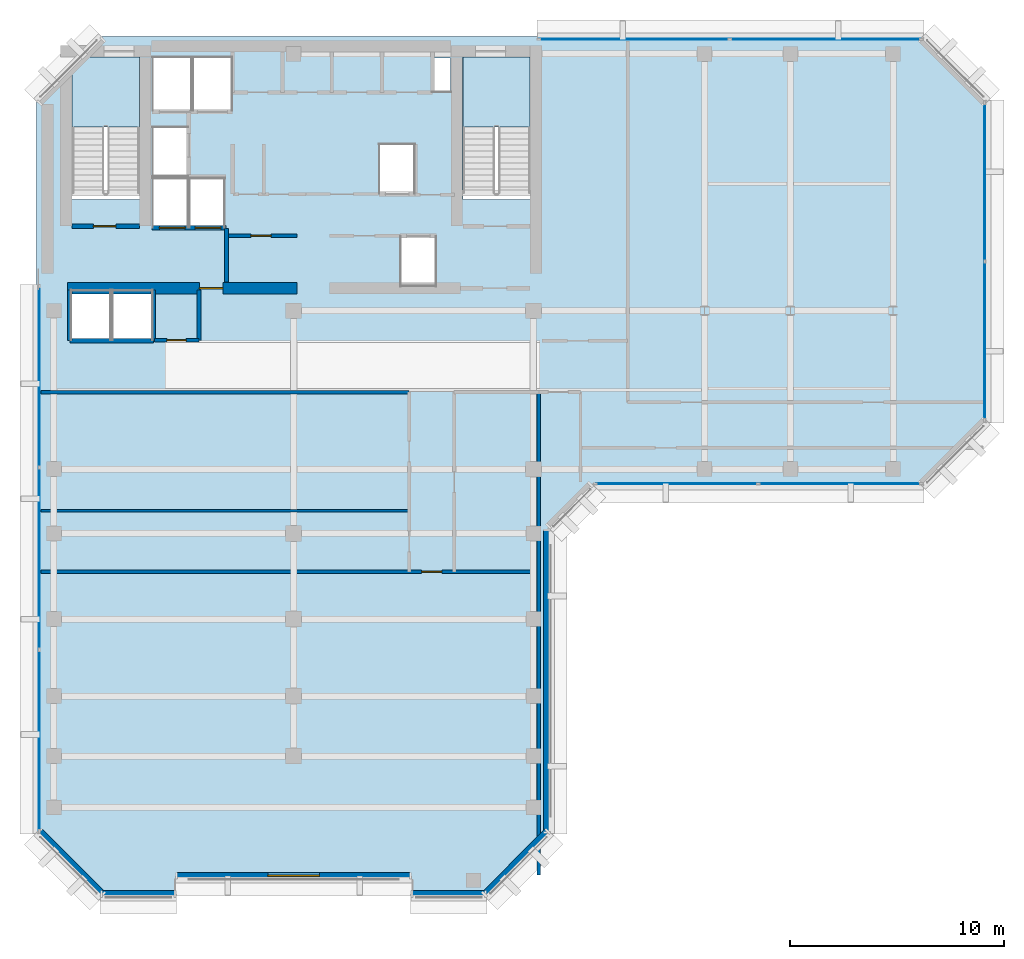
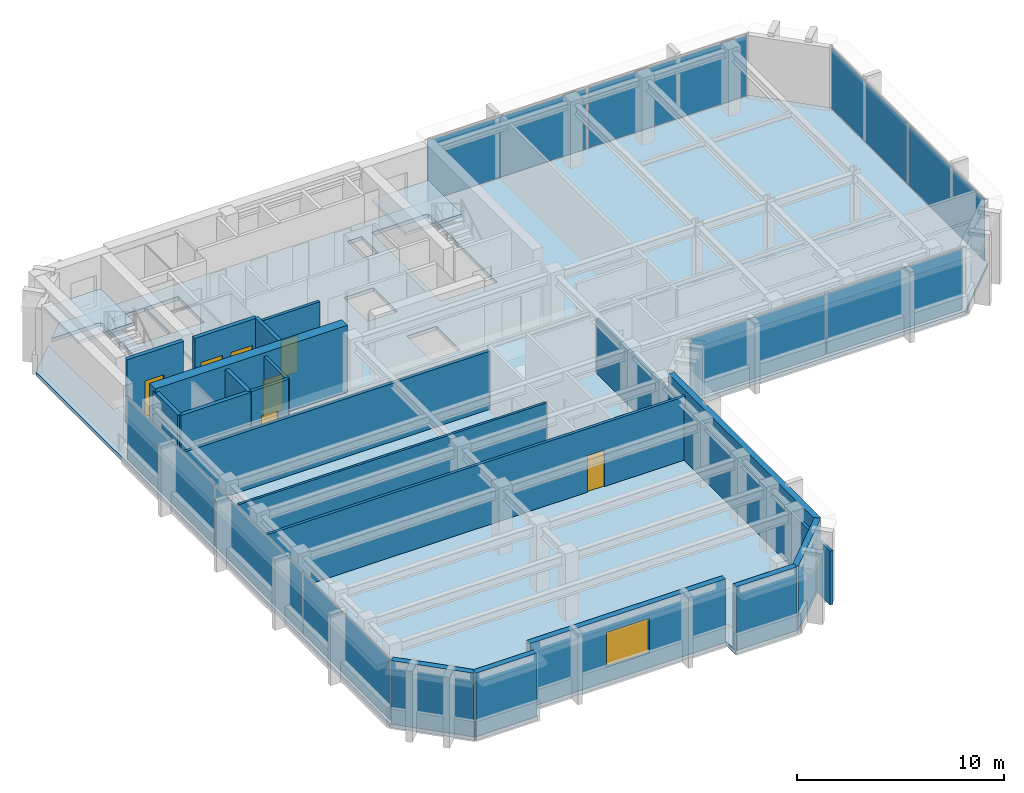
# One storey, part 6 of 12: 20 walls, 9 plates, 7 doors, 3 slabs, 1 window, 8 openings, 6 elements without a shape of their own.
"""IFC4 building model written with IfcOpenShell, lengths in metres."""

from ifc_helpers import new_model, si_unit, direction, frame, frame_2d, origin, origin_2d, place, context, subcontext, project, spatial, polyline, rectangle, outline, extrude, material, layer, layer_set, type_object, element, fill, aggregate, save


model = new_model("IFC4")

# Units and contexts
model_context = context("Model", 3, precision=1e-05, world=origin(), true_north=direction((0.0, 1.0)))
body_context = subcontext(model_context, "Body", "Model", "MODEL_VIEW")
ifc_project = project(units=[si_unit("LENGTHUNIT", "METRE"), si_unit("AREAUNIT", "SQUARE_METRE"), si_unit("VOLUMEUNIT", "CUBIC_METRE"), si_unit("PLANEANGLEUNIT", "RADIAN"), si_unit("MASSUNIT", "GRAM", prefix="KILO")], contexts=[model_context])

# Site, building, storey
site_placement = place(None, origin())
site = spatial("IfcSite", under=ifc_project, at=site_placement, CompositionType="ELEMENT")
building_placement = place(site_placement, origin())
building = spatial("IfcBuilding", under=site, at=building_placement, Name="Kefirva Bronze Tower", CompositionType="ELEMENT")
storey_placement = place(building_placement, frame((0.0, 0.0, 327.68994140625)))
storey = spatial("IfcBuildingStorey", under=building, at=storey_placement, Name="L80", CompositionType="ELEMENT", Elevation=327.68994140625)

# Stair, slab
ifc_material_1 = material(Name="Concrete C40/50", Category="concrete")
stair_type = type_object("IfcStairType", Name="RC Dogleg Protected Stair 24R", PredefinedType="HALF_TURN_STAIR", material=ifc_material_1)
stair_1_placement = place(storey_placement, origin())
stair_1 = element("IfcStair", 1, at=stair_1_placement, inside=storey, type_object=stair_type, Name="L80 Protected Exit Stair 1", PredefinedType="HALF_TURN_STAIR")
ifc_layer_1 = layer(ifc_material_1, 0.199951171875, Name="Concrete C40/50")
ifc_layer_set_1 = layer_set([ifc_layer_1], Name="Concrete C40/50")
slab_type_1 = type_object("IfcSlabType", Name="RC Stair Landing Slab 200mm", PredefinedType="LANDING", material=ifc_layer_set_1)
slab_1_placement = place(storey_placement, frame((0.0, 0.0, 1.780029296875)))
slab_1 = element("IfcSlab", 2, at=slab_1_placement, type_object=slab_type_1, Name="ST-1 landing 1", PredefinedType="LANDING", context=body_context, shape_type="SweptSolid", body=[
    extrude(outline(polyline([(4.800048828125, 41.780029296875), (4.800048828125, 45.050048828125), (1.64990234375, 45.050048828125), (1.64990234375, 41.780029296875), (4.800048828125, 41.780029296875)])), origin(), (0.0, 0.0, 1.0), 0.199951171875),
])
aggregate(stair_1, [slab_1])

stair_2_placement = place(storey_placement, origin())
stair_2 = element("IfcStair", 3, at=stair_2_placement, inside=storey, type_object=stair_type, Name="L80 Protected Exit Stair 2", PredefinedType="HALF_TURN_STAIR")
slab_2_placement = place(storey_placement, frame((0.0, 0.0, 1.780029296875)))
slab_2 = element("IfcSlab", 4, at=slab_2_placement, type_object=slab_type_1, Name="ST-2 landing 1", PredefinedType="LANDING", context=body_context, shape_type="SweptSolid", body=[
    extrude(outline(polyline([(23.050048828125, 41.780029296875), (23.050048828125, 45.050048828125), (19.89990234375, 45.050048828125), (19.89990234375, 41.780029296875), (23.050048828125, 41.780029296875)])), origin(), (0.0, 0.0, 1.0), 0.199951171875),
])
aggregate(stair_2, [slab_2])

# Slab
ifc_layer_2 = layer(ifc_material_1, 0.219970703125, Name="Concrete C40/50")
ifc_layer_set_2 = layer_set([ifc_layer_2], Name="Concrete C40/50")
slab_type_2 = type_object("IfcSlabType", Name="RC Upper Floor Slab 220mm", PredefinedType="FLOOR", material=ifc_layer_set_2)
slab_3_placement = place(storey_placement, frame((0.0, 0.0, -0.219970703125)))
element("IfcSlab", 5, at=slab_3_placement, inside=storey, type_object=slab_type_2, Name="L80 Structural Floor Slab", PredefinedType="FLOOR", context=body_context, shape_type="SweptSolid", body=[
    extrude(outline(polyline([(0.0, 8.800048828125), (0.0, 43.0), (1.64990234375, 44.64990234375), (1.64990234375, 38.39990234375), (4.800048828125, 38.39990234375), (4.800048828125, 45.050048828125), (2.050048828125, 45.050048828125), (3.0, 46.0), (41.39990234375, 46.0), (44.39990234375, 43.0), (44.39990234375, 28.0), (41.39990234375, 25.0), (26.0, 25.0), (24.0, 23.0), (24.0, 8.800048828125), (21.0, 5.800048828125), (17.5, 5.800048828125), (17.5, 6.64990234375), (6.5, 6.64990234375), (6.5, 5.800048828125), (3.0, 5.800048828125), (0.0, 8.800048828125)]), holes=[polyline([(23.050048828125, 45.050048828125), (19.89990234375, 45.050048828125), (19.89990234375, 38.39990234375), (23.050048828125, 38.39990234375), (23.050048828125, 45.050048828125)]), polyline([(19.320068359375, 43.419921875), (19.320068359375, 45.0), (18.52001953125, 45.0), (18.52001953125, 43.419921875), (19.320068359375, 43.419921875)]), polyline([(18.64990234375, 36.64990234375), (17.0, 36.64990234375), (17.0, 34.35009765625), (18.64990234375, 34.35009765625), (18.64990234375, 36.64990234375)]), polyline([(17.64990234375, 38.679931640625), (17.64990234375, 40.97998046875), (16.0, 40.97998046875), (16.0, 38.679931640625), (17.64990234375, 38.679931640625)]), polyline([(9.1201171875, 42.550048828125), (9.1201171875, 45.050048828125), (7.300048828125, 45.050048828125), (7.300048828125, 42.550048828125), (9.1201171875, 42.550048828125)]), polyline([(8.780029296875, 37.10009765625), (8.780029296875, 39.39990234375), (7.139892578125, 39.39990234375), (7.139892578125, 37.10009765625), (8.780029296875, 37.10009765625)]), polyline([(7.239990234375, 42.550048828125), (7.239990234375, 45.050048828125), (5.419921875, 45.050048828125), (5.419921875, 42.550048828125), (7.239990234375, 42.550048828125)]), polyline([(7.06005859375, 37.10009765625), (7.06005859375, 39.39990234375), (5.419921875, 39.39990234375), (5.419921875, 37.10009765625), (7.06005859375, 37.10009765625)]), polyline([(7.06005859375, 41.780029296875), (5.419921875, 41.780029296875), (5.419921875, 39.47998046875), (7.06005859375, 39.47998046875), (7.06005859375, 41.780029296875)]), polyline([(5.39990234375, 31.85009765625), (5.39990234375, 34.14990234375), (3.550048828125, 34.14990234375), (3.550048828125, 31.85009765625), (5.39990234375, 31.85009765625)]), polyline([(3.449951171875, 34.14990234375), (1.60009765625, 34.14990234375), (1.60009765625, 31.85009765625), (3.449951171875, 31.85009765625), (3.449951171875, 34.14990234375)])]), origin(), (0.0, 0.0, 1.0), 0.219970703125),
])

# Curtain wall, plates
ifc_material_2 = material(Name="Bronze anodised aluminium", Category="aluminium")
ifc_layer_3 = layer(ifc_material_2, 0.179931640625, Name="Bronze anodised aluminium")
ifc_layer_set_3 = layer_set([ifc_layer_3], Name="Bronze anodised aluminium")
curtain_wall_type = type_object("IfcCurtainWallType", Name="Unitised Bronze Ribbon Curtain Wall Zone 4", PredefinedType="USERDEFINED", material=ifc_layer_set_3)
curtain_wall_1_placement = place(storey_placement, origin())
curtain_wall_1 = element("IfcCurtainWall", 6, at=curtain_wall_1_placement, inside=storey, type_object=curtain_wall_type, Name="L80 Curtain Wall 1", ObjectType="UNITISED CURTAIN WALL", PredefinedType="USERDEFINED")
ifc_material_3 = material(Name="Laminated low-E double glazing", Category="glass")
ifc_layer_4 = layer(ifc_material_3, 0.031982421875, Name="Laminated low-E double glazing")
ifc_layer_set_4 = layer_set([ifc_layer_4], Name="Laminated low-E double glazing")
plate_type = type_object("IfcPlateType", Name="Solar-Control Low-E Vision Panel 32mm", PredefinedType="CURTAIN_PANEL", material=ifc_layer_set_4)
plate_1_placement = place(storey_placement, frame((29.896240234375, 25.1201171875, 0.0751953125), z_axis=(0.0, 0.0, 1.0), x_axis=(1.0, 0.0, 0.0)))
plate_1 = element("IfcPlate", 7, at=plate_1_placement, type_object=plate_type, Name="CW-04 panel 1.1", PredefinedType="CURTAIN_PANEL", context=body_context, shape_type="SweptSolid", body=[
    extrude(rectangle(XDim=7.532470703125, YDim=0.031982421875, at=origin_2d()), origin(), (0.0, 0.0, 1.0), 3.590087890625),
])
plate_2_placement = place(storey_placement, frame((37.503662109375, 25.1201171875, 0.0751953125), z_axis=(0.0, 0.0, 1.0), x_axis=(1.0, 0.0, 0.0)))
plate_2 = element("IfcPlate", 8, at=plate_2_placement, type_object=plate_type, Name="CW-04 panel 2.1", PredefinedType="CURTAIN_PANEL", context=body_context, shape_type="SweptSolid", body=[
    extrude(rectangle(XDim=7.532470703125, YDim=0.031982421875, at=origin_2d()), origin(), (0.0, 0.0, 1.0), 3.590087890625),
])
aggregate(curtain_wall_1, [plate_1, plate_2])

curtain_wall_2_placement = place(storey_placement, origin())
curtain_wall_2 = element("IfcCurtainWall", 9, at=curtain_wall_2_placement, inside=storey, type_object=curtain_wall_type, Name="L80 Curtain Wall 2", ObjectType="UNITISED CURTAIN WALL", PredefinedType="USERDEFINED")
plate_3_placement = place(storey_placement, frame((44.280029296875, 31.796142578125, 0.0751953125), z_axis=(0.0, 0.0, 1.0), x_axis=(0.0, 1.0, 0.0)))
plate_3 = element("IfcPlate", 10, at=plate_3_placement, type_object=plate_type, Name="CW-04 panel 1.1", PredefinedType="CURTAIN_PANEL", context=body_context, shape_type="SweptSolid", body=[
    extrude(rectangle(XDim=7.33251953125, YDim=0.031982421875, at=origin_2d()), origin(), (0.0, 0.0, 1.0), 3.590087890625),
])
plate_4_placement = place(storey_placement, frame((44.280029296875, 39.203857421875, 0.0751953125), z_axis=(0.0, 0.0, 1.0), x_axis=(0.0, 1.0, 0.0)))
plate_4 = element("IfcPlate", 11, at=plate_4_placement, type_object=plate_type, Name="CW-04 panel 2.1", PredefinedType="CURTAIN_PANEL", context=body_context, shape_type="SweptSolid", body=[
    extrude(rectangle(XDim=7.33251953125, YDim=0.031982421875, at=origin_2d()), origin(), (0.0, 0.0, 1.0), 3.590087890625),
])
aggregate(curtain_wall_2, [plate_3, plate_4])

curtain_wall_3_placement = place(storey_placement, origin())
curtain_wall_3 = element("IfcCurtainWall", 12, at=curtain_wall_3_placement, inside=storey, type_object=curtain_wall_type, Name="L80 Curtain Wall 3", ObjectType="UNITISED CURTAIN WALL", PredefinedType="USERDEFINED")
plate_5_placement = place(storey_placement, frame((36.84130859375, 45.8798828125, 0.0751953125), z_axis=(0.0, 0.0, 1.0), x_axis=(-1.0, 0.0, 0.0)))
plate_5 = element("IfcPlate", 13, at=plate_5_placement, type_object=plate_type, Name="CW-04 panel 1.1", PredefinedType="CURTAIN_PANEL", context=body_context, shape_type="SweptSolid", body=[
    extrude(rectangle(XDim=8.857421875, YDim=0.031982421875, at=origin_2d()), origin(), (0.0, 0.0, 1.0), 3.590087890625),
])
plate_6_placement = place(storey_placement, frame((27.90869140625, 45.8798828125, 0.0751953125), z_axis=(0.0, 0.0, 1.0), x_axis=(-1.0, 0.0, 0.0)))
plate_6 = element("IfcPlate", 14, at=plate_6_placement, type_object=plate_type, Name="CW-04 panel 2.1", PredefinedType="CURTAIN_PANEL", context=body_context, shape_type="SweptSolid", body=[
    extrude(rectangle(XDim=8.857421875, YDim=0.031982421875, at=origin_2d()), origin(), (0.0, 0.0, 1.0), 3.590087890625),
])
aggregate(curtain_wall_3, [plate_5, plate_6])

curtain_wall_4_placement = place(storey_placement, origin())
curtain_wall_4 = element("IfcCurtainWall", 15, at=curtain_wall_4_placement, inside=storey, type_object=curtain_wall_type, Name="L80 Curtain Wall 4", ObjectType="UNITISED CURTAIN WALL", PredefinedType="USERDEFINED")
plate_7_placement = place(storey_placement, frame((0.1201171875, 30.11962890625, 0.0751953125), z_axis=(0.0, 0.0, 1.0), x_axis=(0.0, -1.0, 0.0)))
plate_7 = element("IfcPlate", 16, at=plate_7_placement, type_object=plate_type, Name="CW-04 panel 1.1", PredefinedType="CURTAIN_PANEL", context=body_context, shape_type="SweptSolid", body=[
    extrude(rectangle(XDim=8.40087890625, YDim=0.031982421875, at=origin_2d()), origin(), (0.0, 0.0, 1.0), 3.590087890625),
])
plate_8_placement = place(storey_placement, frame((0.1201171875, 21.625, 0.0751953125), z_axis=(0.0, 0.0, 1.0), x_axis=(0.0, -1.0, 0.0)))
plate_8 = element("IfcPlate", 17, at=plate_8_placement, type_object=plate_type, Name="CW-04 panel 2.1", PredefinedType="CURTAIN_PANEL", context=body_context, shape_type="SweptSolid", body=[
    extrude(rectangle(XDim=8.438232421875, YDim=0.031982421875, at=origin_2d()), origin(), (0.0, 0.0, 1.0), 3.590087890625),
])
plate_9_placement = place(storey_placement, frame((0.1201171875, 13.13037109375, 0.0751953125), z_axis=(0.0, 0.0, 1.0), x_axis=(0.0, -1.0, 0.0)))
plate_9 = element("IfcPlate", 18, at=plate_9_placement, type_object=plate_type, Name="CW-04 panel 3.1", PredefinedType="CURTAIN_PANEL", context=body_context, shape_type="SweptSolid", body=[
    extrude(rectangle(XDim=8.40087890625, YDim=0.031982421875, at=origin_2d()), origin(), (0.0, 0.0, 1.0), 3.590087890625),
])
aggregate(curtain_wall_4, [plate_7, plate_8, plate_9])

# Wall
ifc_material_4 = material(Name="Gypsum acoustic partition")
ifc_layer_5 = layer(ifc_material_4, 0.1298828125, Name="Gypsum acoustic partition")
ifc_layer_set_5 = layer_set([ifc_layer_5], Name="Gypsum acoustic partition")
wall_type_1 = type_object("IfcWallType", Name="Acoustic Office Partition 130mm", PredefinedType="PARTITIONING", material=ifc_layer_set_5)
wall_1_placement = place(storey_placement, frame((0.18994140625, 23.85595703125, 0.0), z_axis=(0.0, 0.0, 1.0), x_axis=(1.0, 0.0, 0.0)))
element("IfcWall", 19, at=wall_1_placement, inside=storey, type_object=wall_type_1, Name="L80 Partition W-L80-SWD1", PredefinedType="PARTITIONING", context=body_context, shape_type="SweptSolid", body=[
    extrude(rectangle(XDim=17.2099609375, YDim=0.1298828125, at=frame_2d((8.60498046875, 0.0))), origin(), (0.0, 0.0, 1.0), 3.739990234375),
])

# Wall, opening, door
ifc_material_5 = material(Name="Gypsum fireboard shaftwall")
ifc_layer_6 = layer(ifc_material_5, 0.219970703125, Name="Gypsum fireboard shaftwall")
ifc_layer_set_6 = layer_set([ifc_layer_6], Name="Gypsum fireboard shaftwall")
wall_type_2 = type_object("IfcWallType", Name="Fire-Rated Shaft Enclosure Wall 220mm", PredefinedType="PARTITIONING", material=ifc_layer_set_6)
wall_2_placement = place(storey_placement, frame((1.64990234375, 37.14990234375, 0.0), z_axis=(0.0, 0.0, 1.0), x_axis=(1.0, 0.0, 0.0)))
wall_2 = element("IfcWall", 20, at=wall_2_placement, inside=storey, type_object=wall_type_2, Name="L80 Partition W-L80-ST1S", PredefinedType="PARTITIONING", context=body_context, shape_type="SweptSolid", body=[
    extrude(rectangle(XDim=3.150146484375, YDim=0.219970703125, at=frame_2d((1.5751953125, 0.0))), origin(), (0.0, 0.0, 1.0), 3.739990234375),
])
opening_1_placement = place(wall_2_placement, frame((2.050048828125, 0.0, 0.0), z_axis=(0.0, 0.0, 1.0), x_axis=(-1.0, 0.0, 0.0)))
opening_1 = element("IfcOpeningElement", 21, at=opening_1_placement, cuts=wall_2, Name="Opening L80-D001", PredefinedType="OPENING", context=body_context, shape_type="SweptSolid", body=[
    extrude(rectangle(XDim=1.050048828125, YDim=2.14990234375, at=frame_2d((0.52490234375, 1.074951171875))), frame((0.0, 0.1201171875, 0.0), z_axis=(0.0, -1.0, 0.0), x_axis=(1.0, 0.0, 0.0)), (0.0, 0.0, 1.0), 0.239990234375),
])
ifc_material_6 = material(Name="Painted galvanized steel", Category="steel")
door_type_1 = type_object("IfcDoorType", Name="Fire Stair Enclosure Door 1050x2150 FD90S", OperationType="NOTDEFINED", PredefinedType="DOOR", material=ifc_material_6)
door_1_placement = place(opening_1_placement, origin())
door_1 = element("IfcDoor", 22, at=door_1_placement, inside=storey, type_object=door_type_1, Name="Door L80-D001", OperationType="SINGLE_SWING_RIGHT", OverallHeight=2.14990234375, OverallWidth=1.050048828125, PredefinedType="DOOR", context=body_context, shape_type="SweptSolid", body=[
    extrude(rectangle(XDim=1.050048828125, YDim=2.14990234375, at=frame_2d((0.52490234375, 1.074951171875))), frame((0.0, 0.02490234375, 0.0), z_axis=(0.0, -1.0, 0.0), x_axis=(1.0, 0.0, 0.0)), (0.0, 0.0, 1.0), 0.050048828125),
])
fill(opening_1, door_1)

# Wall, openings, doors
wall_3_placement = place(storey_placement, frame((5.3798828125, 37.080078125, 0.0), z_axis=(0.0, 0.0, 1.0), x_axis=(1.0, 0.0, 0.0)))
wall_3 = element("IfcWall", 23, at=wall_3_placement, inside=storey, type_object=wall_type_2, Name="L80 Partition W-L80-FFS", PredefinedType="PARTITIONING", context=body_context, shape_type="SweptSolid", body=[
    extrude(rectangle(XDim=3.460205078125, YDim=0.219970703125, at=frame_2d((1.72998046875, 0.0))), origin(), (0.0, 0.0, 1.0), 3.739990234375),
])
opening_2_placement = place(wall_3_placement, frame((1.550048828125, 0.0, 0.0), z_axis=(0.0, 0.0, 1.0), x_axis=(-1.0, 0.0, 0.0)))
opening_2 = element("IfcOpeningElement", 24, at=opening_2_placement, cuts=wall_3, Name="Opening L80-LD-FF1", PredefinedType="OPENING", context=body_context, shape_type="SweptSolid", body=[
    extrude(rectangle(XDim=1.199951171875, YDim=2.199951171875, at=frame_2d((0.60009765625, 1.10009765625))), frame((0.0, 0.1201171875, 0.0), z_axis=(0.0, -1.0, 0.0), x_axis=(1.0, 0.0, 0.0)), (0.0, 0.0, 1.0), 0.239990234375),
])
opening_3_placement = place(wall_3_placement, frame((3.219970703125, 0.0, 0.0), z_axis=(0.0, 0.0, 1.0), x_axis=(-1.0, 0.0, 0.0)))
opening_3 = element("IfcOpeningElement", 25, at=opening_3_placement, cuts=wall_3, Name="Opening L80-LD-FF2", PredefinedType="OPENING", context=body_context, shape_type="SweptSolid", body=[
    extrude(rectangle(XDim=1.199951171875, YDim=2.199951171875, at=frame_2d((0.60009765625, 1.10009765625))), frame((0.0, 0.1201171875, 0.0), z_axis=(0.0, -1.0, 0.0), x_axis=(1.0, 0.0, 0.0)), (0.0, 0.0, 1.0), 0.239990234375),
])
ifc_material_7 = material(Name="Stainless steel 316", Category="steel")
door_type_2 = type_object("IfcDoorType", Name="Firefighting Lift Sliding Door 1200x2200", OperationType="SLIDING_TO_RIGHT", PredefinedType="DOOR", material=ifc_material_7)
door_2_placement = place(opening_2_placement, origin())
door_2 = element("IfcDoor", 26, at=door_2_placement, inside=storey, type_object=door_type_2, Name="Door L80-LD-FF1", OperationType="SLIDING_TO_RIGHT", OverallHeight=2.199951171875, OverallWidth=1.199951171875, PredefinedType="DOOR", context=body_context, shape_type="SweptSolid", body=[
    extrude(rectangle(XDim=1.199951171875, YDim=2.199951171875, at=frame_2d((0.60009765625, 1.10009765625))), frame((0.0, 0.02490234375, 0.0), z_axis=(0.0, -1.0, 0.0), x_axis=(1.0, 0.0, 0.0)), (0.0, 0.0, 1.0), 0.050048828125),
])
fill(opening_2, door_2)
door_3_placement = place(opening_3_placement, origin())
door_3 = element("IfcDoor", 27, at=door_3_placement, inside=storey, type_object=door_type_2, Name="Door L80-LD-FF2", OperationType="SLIDING_TO_RIGHT", OverallHeight=2.199951171875, OverallWidth=1.199951171875, PredefinedType="DOOR", context=body_context, shape_type="SweptSolid", body=[
    extrude(rectangle(XDim=1.199951171875, YDim=2.199951171875, at=frame_2d((0.60009765625, 1.10009765625))), frame((0.0, 0.02490234375, 0.0), z_axis=(0.0, -1.0, 0.0), x_axis=(1.0, 0.0, 0.0)), (0.0, 0.0, 1.0), 0.050048828125),
])
fill(opening_3, door_3)

# Walls
wall_4_placement = place(storey_placement, frame((1.550048828125, 31.800048828125, 0.0), z_axis=(0.0, 0.0, 1.0), x_axis=(1.0, 0.0, 0.0)))
element("IfcWall", 28, at=wall_4_placement, inside=storey, type_object=wall_type_2, Name="L80 Partition W-L80-OBS", PredefinedType="PARTITIONING", context=body_context, shape_type="SweptSolid", body=[
    extrude(rectangle(XDim=3.89990234375, YDim=0.219970703125, at=frame_2d((1.949951171875, 0.0))), origin(), (0.0, 0.0, 1.0), 3.739990234375),
])
for number, where, z_axis, x_axis, name in (
    (29, (1.550048828125, 31.800048828125, 0.0), (0.0, 0.0, 1.0), (0.0, 1.0, 0.0), "L80 Partition W-L80-OBW"),
    (30, (5.449951171875, 31.800048828125, 0.0), (0.0, 0.0, 1.0), (0.0, 1.0, 0.0), "L80 Partition W-L80-OBE"),
):
    element("IfcWall", number, at=place(storey_placement, frame(where, z_axis=z_axis, x_axis=x_axis)), inside=storey, type_object=wall_type_2, Name=name, PredefinedType="PARTITIONING", context=body_context, shape_type="SweptSolid", body=[
        extrude(rectangle(XDim=2.3798828125, YDim=0.219970703125, at=frame_2d((1.18994140625, 0.0))), origin(), (0.0, 0.0, 1.0), 3.739990234375),
    ])
ifc_material_8 = material(Name="Gypsum fireboard barrier")
ifc_layer_7 = layer(ifc_material_8, 0.199951171875, Name="Gypsum fireboard barrier")
ifc_layer_set_7 = layer_set([ifc_layer_7], Name="Gypsum fireboard barrier")
wall_type_3 = type_object("IfcWallType", Name="Firefighting Lobby Barrier Wall 200mm", PredefinedType="PARTITIONING", material=ifc_layer_set_7)
wall_5_placement = place(storey_placement, frame((8.860107421875, 34.550048828125, 0.0), z_axis=(0.0, 0.0, 1.0), x_axis=(0.0, 1.0, 0.0)))
element("IfcWall", 31, at=wall_5_placement, inside=storey, type_object=wall_type_3, Name="L80 Partition W-L80-FFLE", PredefinedType="PARTITIONING", context=body_context, shape_type="SweptSolid", body=[
    extrude(rectangle(XDim=2.5, YDim=0.199951171875, at=frame_2d((1.25, 0.0))), origin(), (0.0, 0.0, 1.0), 3.739990234375),
])
ifc_material_9 = material(Name="Precast concrete C40/50", Category="concrete")
ifc_layer_8 = layer(ifc_material_9, 0.320068359375, Name="Precast concrete C40/50")
ifc_layer_set_8 = layer_set([ifc_layer_8], Name="Precast concrete C40/50")
wall_type_4 = type_object("IfcWallType", Name="Precast Insulated Exterior Wall 320mm", PredefinedType="SOLIDWALL", material=ifc_layer_set_8)
wall_6_placement = place(storey_placement, frame((3.054931640625, 5.9599609375, 0.0), z_axis=(0.0, 0.0, 1.0), x_axis=(1.0, 0.0, 0.0)))
element("IfcWall", 32, at=wall_6_placement, inside=storey, type_object=wall_type_4, Name="L80 Exterior Facade Wall 1", PredefinedType="SOLIDWALL", context=body_context, shape_type="SweptSolid", body=[
    extrude(rectangle(XDim=3.39013671875, YDim=0.320068359375, at=frame_2d((1.695068359375, 0.0))), origin(), (0.0, 0.0, 1.0), 3.739990234375),
])

# Wall, opening, window
wall_7_placement = place(storey_placement, frame((6.554931640625, 6.81005859375, 0.0), z_axis=(0.0, 0.0, 1.0), x_axis=(1.0, 0.0, 0.0)))
wall_7 = element("IfcWall", 33, at=wall_7_placement, inside=storey, type_object=wall_type_4, Name="L80 Exterior Facade Wall 2", PredefinedType="SOLIDWALL", context=body_context, shape_type="SweptSolid", body=[
    extrude(rectangle(XDim=10.89013671875, YDim=0.320068359375, at=frame_2d((5.445068359375, 0.0))), origin(), (0.0, 0.0, 1.0), 3.739990234375),
])
opening_4_placement = place(wall_7_placement, frame((4.2451171875, 0.0, 0.85009765625)))
opening_4 = element("IfcOpeningElement", 34, at=opening_4_placement, cuts=wall_7, Name="Opening WN-01", PredefinedType="OPENING", context=body_context, shape_type="SweptSolid", body=[
    extrude(rectangle(XDim=2.39990234375, YDim=2.050048828125, at=frame_2d((1.199951171875, 1.02490234375))), frame((0.0, 0.169921875, 0.0), z_axis=(0.0, -1.0, 0.0), x_axis=(1.0, 0.0, 0.0)), (0.0, 0.0, 1.0), 0.340087890625),
])
window_type = type_object("IfcWindowType", Name="Streamline Ribbon Window 2400x2050", PartitioningType="SINGLE_PANEL", PredefinedType="WINDOW", material=ifc_material_3)
window_placement = place(opening_4_placement, origin())
window = element("IfcWindow", 35, at=window_placement, inside=storey, type_object=window_type, Name="L80 Ribbon Window 2", OverallHeight=2.050048828125, OverallWidth=2.39990234375, PartitioningType="SINGLE_PANEL", PredefinedType="WINDOW", context=body_context, shape_type="SweptSolid", body=[
    extrude(rectangle(XDim=2.39990234375, YDim=2.050048828125, at=frame_2d((1.199951171875, 1.02490234375))), frame((0.0, 0.030029296875, 0.0), z_axis=(0.0, -1.0, 0.0), x_axis=(1.0, 0.0, 0.0)), (0.0, 0.0, 1.0), 0.06005859375),
])
fill(opening_4, window)

# Walls
wall_8_placement = place(storey_placement, frame((17.554931640625, 5.9599609375, 0.0), z_axis=(0.0, 0.0, 1.0), x_axis=(1.0, 0.0, 0.0)))
element("IfcWall", 36, at=wall_8_placement, inside=storey, type_object=wall_type_4, Name="L80 Exterior Facade Wall 3", PredefinedType="SOLIDWALL", context=body_context, shape_type="SweptSolid", body=[
    extrude(rectangle(XDim=3.39013671875, YDim=0.320068359375, at=frame_2d((1.695068359375, 0.0))), origin(), (0.0, 0.0, 1.0), 3.739990234375),
])
wall_9_placement = place(storey_placement, frame((20.92578125, 5.951904296875, 0.0), z_axis=(0.0, 0.0, 1.0), x_axis=(0.707077242712, 0.707136318428, 0.0)))
element("IfcWall", 37, at=wall_9_placement, inside=storey, type_object=wall_type_4, Name="L80 Exterior Facade Wall 4", PredefinedType="SOLIDWALL", context=body_context, shape_type="SweptSolid", body=[
    extrude(rectangle(XDim=4.132568359375, YDim=0.320068359375, at=frame_2d((2.06640625, 0.0))), origin(), (0.0, 0.0, 1.0), 3.739990234375),
])
wall_10_placement = place(storey_placement, frame((23.840087890625, 8.85498046875, 0.0), z_axis=(0.0, 0.0, 1.0), x_axis=(0.0, 1.0, 0.0)))
element("IfcWall", 38, at=wall_10_placement, inside=storey, type_object=wall_type_4, Name="L80 Exterior Facade Wall 5", PredefinedType="SOLIDWALL", context=body_context, shape_type="SweptSolid", body=[
    extrude(rectangle(XDim=14.090087890625, YDim=0.320068359375, at=frame_2d((7.044921875, 0.0))), origin(), (0.0, 0.0, 1.0), 3.739990234375),
])
wall_11_placement = place(storey_placement, frame((0.152099609375, 8.874267578125, 0.0), z_axis=(0.0, 0.0, 1.0), x_axis=(0.707077242712, -0.707136318428, 0.0)))
element("IfcWall", 39, at=wall_11_placement, inside=storey, type_object=wall_type_4, Name="L80 Exterior Facade Wall 10", PredefinedType="SOLIDWALL", context=body_context, shape_type="SweptSolid", body=[
    extrude(rectangle(XDim=4.132568359375, YDim=0.320068359375, at=frame_2d((2.06640625, 0.0))), origin(), (0.0, 0.0, 1.0), 3.739990234375),
])

# Wall, opening, door
ifc_layer_9 = layer(ifc_material_4, 0.159912109375, Name="Gypsum acoustic partition")
ifc_layer_set_9 = layer_set([ifc_layer_9], Name="Gypsum acoustic partition")
wall_type_5 = type_object("IfcWallType", Name="Protected Corridor Partition 160mm", PredefinedType="PARTITIONING", material=ifc_layer_set_9)
wall_12_placement = place(storey_placement, frame((8.89990234375, 36.699951171875, 0.0), z_axis=(0.0, 0.0, 1.0), x_axis=(1.0, 0.0, 0.0)))
wall_12 = element("IfcWall", 40, at=wall_12_placement, inside=storey, type_object=wall_type_5, Name="L80 Partition W-L80-RECLP1", PredefinedType="PARTITIONING", context=body_context, shape_type="SweptSolid", body=[
    extrude(rectangle(XDim=3.25, YDim=0.159912109375, at=frame_2d((1.625, 0.0))), origin(), (0.0, 0.0, 1.0), 3.739990234375),
])
opening_5_placement = place(wall_12_placement, frame((1.10009765625, 0.0, 0.0)))
opening_5 = element("IfcOpeningElement", 41, at=opening_5_placement, cuts=wall_12, Name="Opening L80-D-RECLP1", PredefinedType="OPENING", context=body_context, shape_type="SweptSolid", body=[
    extrude(rectangle(XDim=0.949951171875, YDim=2.14990234375, at=frame_2d((0.47509765625, 1.074951171875))), frame((0.0, 0.08984375, 0.0), z_axis=(0.0, -1.0, 0.0), x_axis=(1.0, 0.0, 0.0)), (0.0, 0.0, 1.0), 0.179931640625),
])
ifc_material_10 = material(Name="Acoustic hardwood oak", Category="wood")
door_type_3 = type_object("IfcDoorType", Name="Office & Meeting Room Door 950x2150", OperationType="NOTDEFINED", PredefinedType="DOOR", material=ifc_material_10)
door_4_placement = place(opening_5_placement, origin())
door_4 = element("IfcDoor", 42, at=door_4_placement, inside=storey, type_object=door_type_3, Name="Door L80-D-RECLP1", OperationType="SINGLE_SWING_RIGHT", OverallHeight=2.14990234375, OverallWidth=0.949951171875, PredefinedType="DOOR", context=body_context, shape_type="SweptSolid", body=[
    extrude(rectangle(XDim=0.949951171875, YDim=2.14990234375, at=frame_2d((0.47509765625, 1.074951171875))), frame((0.0, 0.02490234375, 0.0), z_axis=(0.0, -1.0, 0.0), x_axis=(1.0, 0.0, 0.0)), (0.0, 0.0, 1.0), 0.050048828125),
])
fill(opening_5, door_4)

wall_13_placement = place(storey_placement, frame((0.18994140625, 21.0, 0.0), z_axis=(0.0, 0.0, 1.0), x_axis=(1.0, 0.0, 0.0)))
wall_13 = element("IfcWall", 43, at=wall_13_placement, inside=storey, type_object=wall_type_5, Name="L80 Partition W-L80-SBEND", PredefinedType="PARTITIONING", context=body_context, shape_type="SweptSolid", body=[
    extrude(rectangle(XDim=23.260009765625, YDim=0.159912109375, at=frame_2d((11.6298828125, 0.0))), origin(), (0.0, 0.0, 1.0), 3.739990234375),
])
opening_6_placement = place(wall_13_placement, frame((17.7900390625, 0.0, 0.0)))
opening_6 = element("IfcOpeningElement", 44, at=opening_6_placement, cuts=wall_13, Name="Opening L80-D-SEND1", PredefinedType="OPENING", context=body_context, shape_type="SweptSolid", body=[
    extrude(rectangle(XDim=0.949951171875, YDim=2.14990234375, at=frame_2d((0.47509765625, 1.074951171875))), frame((0.0, 0.08984375, 0.0), z_axis=(0.0, -1.0, 0.0), x_axis=(1.0, 0.0, 0.0)), (0.0, 0.0, 1.0), 0.179931640625),
])
door_5_placement = place(opening_6_placement, origin())
door_5 = element("IfcDoor", 45, at=door_5_placement, inside=storey, type_object=door_type_3, Name="Door L80-D-SEND1", OperationType="SINGLE_SWING_LEFT", OverallHeight=2.14990234375, OverallWidth=0.949951171875, PredefinedType="DOOR", context=body_context, shape_type="SweptSolid", body=[
    extrude(rectangle(XDim=0.949951171875, YDim=2.14990234375, at=frame_2d((0.47509765625, 1.074951171875))), frame((0.0, 0.02490234375, 0.0), z_axis=(0.0, -1.0, 0.0), x_axis=(1.0, 0.0, 0.0)), (0.0, 0.0, 1.0), 0.050048828125),
])
fill(opening_6, door_5)

# Walls
wall_14_placement = place(storey_placement, frame((0.18994140625, 29.39990234375, 0.0), z_axis=(0.0, 0.0, 1.0), x_axis=(1.0, 0.0, 0.0)))
element("IfcWall", 46, at=wall_14_placement, inside=storey, type_object=wall_type_5, Name="L80 Partition W-L80-NWT", PredefinedType="PARTITIONING", context=body_context, shape_type="SweptSolid", body=[
    extrude(rectangle(XDim=17.2099609375, YDim=0.159912109375, at=frame_2d((8.60498046875, 0.0))), origin(), (0.0, 0.0, 1.0), 3.425048828125),
])
wall_15_placement = place(storey_placement, frame((23.449951171875, 6.840087890625, 0.0), z_axis=(0.0, 0.0, 1.0), x_axis=(0.0, 1.0, 0.0)))
element("IfcWall", 47, at=wall_15_placement, inside=storey, type_object=wall_type_5, Name="L80 Partition W-L80-SWEAST", PredefinedType="PARTITIONING", context=body_context, shape_type="SweptSolid", body=[
    extrude(rectangle(XDim=22.559814453125, YDim=0.159912109375, at=frame_2d((11.27978515625, 0.0))), origin(), (0.0, 0.0, 1.0), 3.175048828125),
])

# Wall, opening, door
ifc_material_11 = material(Name="Concrete C50/60", Category="concrete")
ifc_layer_10 = layer(ifc_material_11, 0.550048828125, Name="Concrete C50/60")
ifc_layer_set_10 = layer_set([ifc_layer_10], Name="Concrete C50/60")
wall_type_6 = type_object("IfcWallType", Name="RC Rear Core Interior Wall 550mm", PredefinedType="SHEAR", material=ifc_layer_set_10)
wall_16_placement = place(storey_placement, frame((1.449951171875, 34.25, 0.0), z_axis=(0.0, 0.0, 1.0), x_axis=(1.0, 0.0, 0.0)))
wall_16 = element("IfcWall", 48, at=wall_16_placement, inside=storey, type_object=wall_type_6, Name="L80 Rear Core South-West Shear Wall", PredefinedType="SHEAR", context=body_context, shape_type="SweptSolid", body=[
    extrude(rectangle(XDim=10.7099609375, YDim=0.550048828125, at=frame_2d((5.35498046875, 0.0))), origin(), (0.0, 0.0, 1.0), 3.9599609375),
])
opening_7_placement = place(wall_16_placement, frame((7.25, 0.0, 0.0), z_axis=(0.0, 0.0, 1.0), x_axis=(-1.0, 0.0, 0.0)))
opening_7 = element("IfcOpeningElement", 49, at=opening_7_placement, cuts=wall_16, Name="Opening L80-D002", PredefinedType="OPENING", context=body_context, shape_type="SweptSolid", body=[
    extrude(rectangle(XDim=1.10009765625, YDim=2.14990234375, at=frame_2d((0.550048828125, 1.074951171875))), frame((0.0, 0.28515625, 0.0), z_axis=(0.0, -1.0, 0.0), x_axis=(1.0, 0.0, 0.0)), (0.0, 0.0, 1.0), 0.570068359375),
])
door_type_4 = type_object("IfcDoorType", Name="Firefighting Lobby Smoke Door 1100x2150 FD60S", OperationType="NOTDEFINED", PredefinedType="DOOR", material=ifc_material_6)
door_6_placement = place(opening_7_placement, origin())
door_6 = element("IfcDoor", 50, at=door_6_placement, inside=storey, type_object=door_type_4, Name="Door L80-D002", OperationType="SINGLE_SWING_LEFT", OverallHeight=2.14990234375, OverallWidth=1.10009765625, PredefinedType="DOOR", context=body_context, shape_type="SweptSolid", body=[
    extrude(rectangle(XDim=1.10009765625, YDim=2.14990234375, at=frame_2d((0.550048828125, 1.074951171875))), frame((0.0, 0.02490234375, 0.0), z_axis=(0.0, -1.0, 0.0), x_axis=(1.0, 0.0, 0.0)), (0.0, 0.0, 1.0), 0.050048828125),
])
fill(opening_7, door_6)

ifc_material_12 = material(Name="Moisture-resistant partition")
ifc_layer_11 = layer(ifc_material_12, 0.179931640625, Name="Moisture-resistant partition")
ifc_layer_set_11 = layer_set([ifc_layer_11], Name="Moisture-resistant partition")
wall_type_7 = type_object("IfcWallType", Name="Sanitary Plumbing Chase Wall 180mm", PredefinedType="PLUMBINGWALL", material=ifc_layer_set_11)
wall_17_placement = place(storey_placement, frame((5.5, 31.820068359375, 0.0), z_axis=(0.0, 0.0, 1.0), x_axis=(1.0, 0.0, 0.0)))
wall_17 = element("IfcWall", 51, at=wall_17_placement, inside=storey, type_object=wall_type_7, Name="L80 Partition W-L80-TCS", PredefinedType="PLUMBINGWALL", context=body_context, shape_type="SweptSolid", body=[
    extrude(rectangle(XDim=2.080078125, YDim=0.179931640625, at=frame_2d((1.0400390625, 0.0))), origin(), (0.0, 0.0, 1.0), 3.739990234375),
])
opening_8_placement = place(wall_17_placement, frame((1.47998046875, 0.0, 0.0), z_axis=(0.0, 0.0, 1.0), x_axis=(-1.0, 0.0, 0.0)))
opening_8 = element("IfcOpeningElement", 52, at=opening_8_placement, cuts=wall_17, Name="Opening L80-D-TCL1", PredefinedType="OPENING", context=body_context, shape_type="SweptSolid", body=[
    extrude(rectangle(XDim=0.89990234375, YDim=2.10009765625, at=frame_2d((0.449951171875, 1.050048828125))), frame((0.0, 0.10009765625, 0.0), z_axis=(0.0, -1.0, 0.0), x_axis=(1.0, 0.0, 0.0)), (0.0, 0.0, 1.0), 0.199951171875),
])
door_type_5 = type_object("IfcDoorType", Name="Telecom & Meter Fire Door 900x2100 FD60S", OperationType="NOTDEFINED", PredefinedType="DOOR", material=ifc_material_6)
door_7_placement = place(opening_8_placement, origin())
door_7 = element("IfcDoor", 53, at=door_7_placement, inside=storey, type_object=door_type_5, Name="Door L80-D-TCL1", OperationType="SINGLE_SWING_LEFT", OverallHeight=2.10009765625, OverallWidth=0.89990234375, PredefinedType="DOOR", context=body_context, shape_type="SweptSolid", body=[
    extrude(rectangle(XDim=0.89990234375, YDim=2.10009765625, at=frame_2d((0.449951171875, 1.050048828125))), frame((0.0, 0.02490234375, 0.0), z_axis=(0.0, -1.0, 0.0), x_axis=(1.0, 0.0, 0.0)), (0.0, 0.0, 1.0), 0.050048828125),
])
fill(opening_8, door_7)

# Wall
wall_18_placement = place(storey_placement, frame((7.580078125, 31.820068359375, 0.0), z_axis=(0.0, 0.0, 1.0), x_axis=(0.0, 1.0, 0.0)))
element("IfcWall", 54, at=wall_18_placement, inside=storey, type_object=wall_type_7, Name="L80 Partition W-L80-TCE", PredefinedType="PLUMBINGWALL", context=body_context, shape_type="SweptSolid", body=[
    extrude(rectangle(XDim=2.35986328125, YDim=0.179931640625, at=frame_2d((1.179931640625, 0.0))), origin(), (0.0, 0.0, 1.0), 3.739990234375),
])

save(model, "model.ifc")
